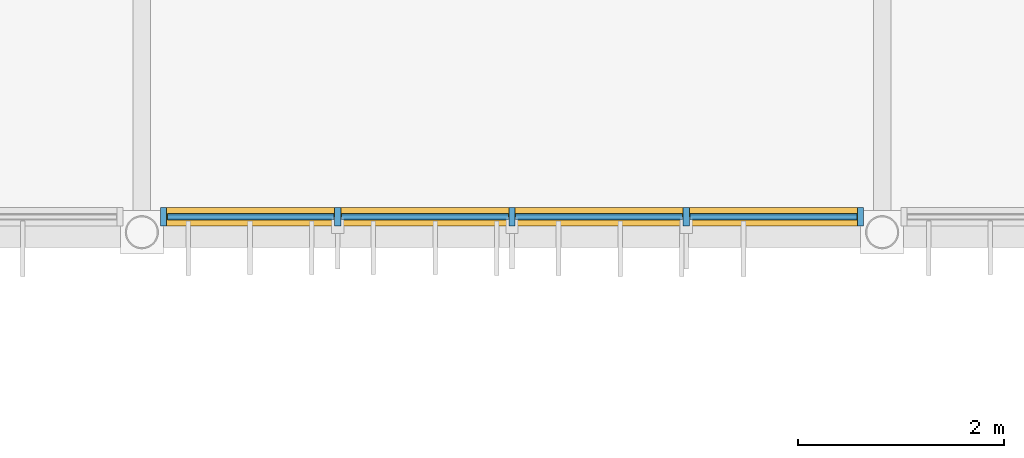
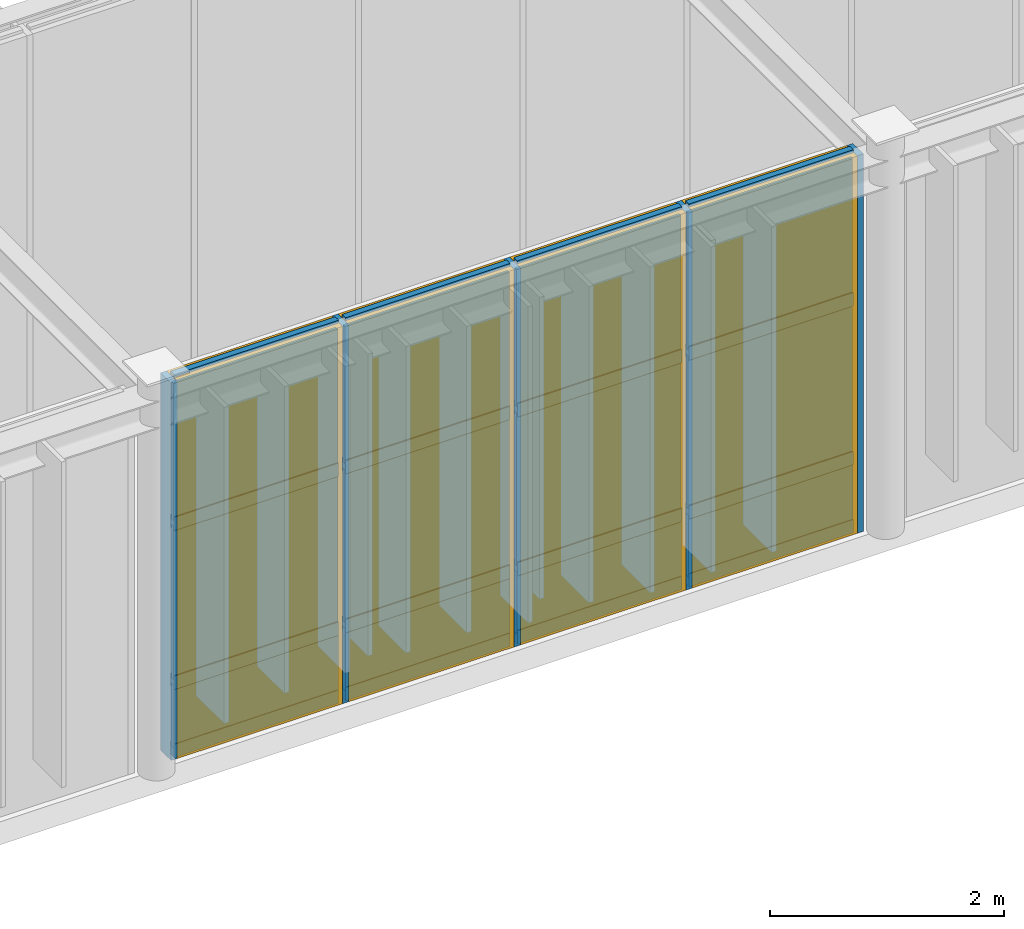
# One storey, part 70 of 104: 21 members, 12 plates, 1 curtain wall.
"""IFC4 building model written with IfcOpenShell, lengths in metres."""

from ifc_helpers import new_model, si_unit, direction, frame, frame_2d, origin, origin_2d, place, context, subcontext, project, spatial, rectangle, extrude, material, layer, layer_set, material_profile, profile_set, type_object, element, aggregate, save


model = new_model("IFC4")

# Units and contexts
model_context = context("Model", 3, precision=1e-05, world=origin(), true_north=direction((0.0, 1.0)))
body_context = subcontext(model_context, "Body", "Model", "MODEL_VIEW")
ifc_project = project(units=[si_unit("LENGTHUNIT", "METRE"), si_unit("AREAUNIT", "SQUARE_METRE"), si_unit("VOLUMEUNIT", "CUBIC_METRE"), si_unit("PLANEANGLEUNIT", "RADIAN"), si_unit("MASSUNIT", "GRAM", prefix="KILO")], contexts=[model_context])

# Member
ifc_material_1 = material(Name="Anodised Bronze Aluminium 6063-T6", Category="aluminium")
ifc_material_profile_1 = material_profile(ifc_material_1, rectangle(XDim=0.06005859375, YDim=0.179931640625, at=origin_2d()), Name="ALU MULLION 60x180")
ifc_profile_set_1 = profile_set([ifc_material_profile_1], Name="Anodised Bronze Aluminium 6063-T6")
member_type_1 = type_object("IfcMemberType", Name="Curtain-Wall Primary Mullion 60x180", PredefinedType="MULLION", material=ifc_profile_set_1)
site_placement = place(None, origin())
building_placement = place(site_placement, origin())
storey_placement = place(building_placement, frame((0.0, 0.0, 9.0)))
member_1_placement = place(storey_placement, frame((36.2119140625, 44.75, 0.0), z_axis=(0.0, 0.0, 1.0), x_axis=(1.0, 0.0, 0.0)))
member_1 = element("IfcMember", 1, at=member_1_placement, type_object=member_type_1, Name="Mullion CWM-01 CW-WLNK-S-L02-B2-M01", PredefinedType="MULLION", context=body_context, shape_type="SweptSolid", body=[
    extrude(rectangle(XDim=0.06005859375, YDim=0.179931640625, at=origin_2d()), origin(), (0.0, 0.0, 1.0), 3.93994140625),
])

member_2_placement = place(storey_placement, frame((37.906005859375, 44.75, 0.0), z_axis=(0.0, 0.0, 1.0), x_axis=(1.0, 0.0, 0.0)))
member_2 = element("IfcMember", 2, at=member_2_placement, type_object=member_type_1, Name="Mullion CWM-01 CW-WLNK-S-L02-B2-M02", PredefinedType="MULLION", context=body_context, shape_type="SweptSolid", body=[
    extrude(rectangle(XDim=0.06005859375, YDim=0.179931640625, at=origin_2d()), origin(), (0.0, 0.0, 1.0), 3.93994140625),
])

member_3_placement = place(storey_placement, frame((39.60009765625, 44.75, 0.0), z_axis=(0.0, 0.0, 1.0), x_axis=(1.0, 0.0, 0.0)))
member_3 = element("IfcMember", 3, at=member_3_placement, type_object=member_type_1, Name="Mullion CWM-01 CW-WLNK-S-L02-B2-M03", PredefinedType="MULLION", context=body_context, shape_type="SweptSolid", body=[
    extrude(rectangle(XDim=0.06005859375, YDim=0.179931640625, at=origin_2d()), origin(), (0.0, 0.0, 1.0), 3.93994140625),
])

member_4_placement = place(storey_placement, frame((41.294189453125, 44.75, 0.0), z_axis=(0.0, 0.0, 1.0), x_axis=(1.0, 0.0, 0.0)))
member_4 = element("IfcMember", 4, at=member_4_placement, type_object=member_type_1, Name="Mullion CWM-01 CW-WLNK-S-L02-B2-M04", PredefinedType="MULLION", context=body_context, shape_type="SweptSolid", body=[
    extrude(rectangle(XDim=0.06005859375, YDim=0.179931640625, at=origin_2d()), origin(), (0.0, 0.0, 1.0), 3.93994140625),
])

member_5_placement = place(storey_placement, frame((42.988037109375, 44.75, 0.0), z_axis=(0.0, 0.0, 1.0), x_axis=(1.0, 0.0, 0.0)))
member_5 = element("IfcMember", 5, at=member_5_placement, type_object=member_type_1, Name="Mullion CWM-01 CW-WLNK-S-L02-B2-M05", PredefinedType="MULLION", context=body_context, shape_type="SweptSolid", body=[
    extrude(rectangle(XDim=0.06005859375, YDim=0.179931640625, at=origin_2d()), origin(), (0.0, 0.0, 1.0), 3.93994140625),
])

ifc_material_profile_2 = material_profile(ifc_material_1, rectangle(XDim=0.06005859375, YDim=0.139892578125, at=origin_2d()), Name="ALU TRANSOM 60x140")
ifc_profile_set_2 = profile_set([ifc_material_profile_2], Name="Anodised Bronze Aluminium 6063-T6")
member_type_2 = type_object("IfcMemberType", Name="Curtain-Wall Transom 60x140", PredefinedType="USERDEFINED", material=ifc_profile_set_2)
member_6_placement = place(storey_placement, frame((36.2470703125, 44.75, 0.0400390625), z_axis=(1.0, 0.0, 0.0), x_axis=(0.0, 1.0, 0.0)))
member_6 = element("IfcMember", 6, at=member_6_placement, type_object=member_type_2, Name="Transom CWT-01 CW-WLNK-S-L02-B2-T01.1", ObjectType="TRANSOM", PredefinedType="USERDEFINED", context=body_context, shape_type="SweptSolid", body=[
    extrude(rectangle(XDim=0.06005859375, YDim=0.139892578125, at=origin_2d()), origin(), (0.0, 0.0, 1.0), 1.6240234375),
])

member_7_placement = place(storey_placement, frame((36.2470703125, 44.75, 0.75), z_axis=(1.0, 0.0, 0.0), x_axis=(0.0, 1.0, 0.0)))
member_7 = element("IfcMember", 7, at=member_7_placement, type_object=member_type_2, Name="Transom CWT-01 CW-WLNK-S-L02-B2-T01.2", ObjectType="TRANSOM", PredefinedType="USERDEFINED", context=body_context, shape_type="SweptSolid", body=[
    extrude(rectangle(XDim=0.06005859375, YDim=0.139892578125, at=origin_2d()), origin(), (0.0, 0.0, 1.0), 1.6240234375),
])

member_8_placement = place(storey_placement, frame((36.2470703125, 44.75, 2.40869140625), z_axis=(1.0, 0.0, 0.0), x_axis=(0.0, 1.0, 0.0)))
member_8 = element("IfcMember", 8, at=member_8_placement, type_object=member_type_2, Name="Transom CWT-01 CW-WLNK-S-L02-B2-T01.3", ObjectType="TRANSOM", PredefinedType="USERDEFINED", context=body_context, shape_type="SweptSolid", body=[
    extrude(rectangle(XDim=0.06005859375, YDim=0.139892578125, at=origin_2d()), origin(), (0.0, 0.0, 1.0), 1.6240234375),
])

member_9_placement = place(storey_placement, frame((36.2470703125, 44.75, 3.89990234375), z_axis=(1.0, 0.0, 0.0), x_axis=(0.0, 1.0, 0.0)))
member_9 = element("IfcMember", 9, at=member_9_placement, type_object=member_type_2, Name="Transom CWT-01 CW-WLNK-S-L02-B2-T01.4", ObjectType="TRANSOM", PredefinedType="USERDEFINED", context=body_context, shape_type="SweptSolid", body=[
    extrude(rectangle(XDim=0.06005859375, YDim=0.139892578125, at=origin_2d()), origin(), (0.0, 0.0, 1.0), 1.6240234375),
])

member_10_placement = place(storey_placement, frame((37.94091796875, 44.75, 0.0400390625), z_axis=(1.0, 0.0, 0.0), x_axis=(0.0, 1.0, 0.0)))
member_10 = element("IfcMember", 10, at=member_10_placement, type_object=member_type_2, Name="Transom CWT-01 CW-WLNK-S-L02-B2-T02.1", ObjectType="TRANSOM", PredefinedType="USERDEFINED", context=body_context, shape_type="SweptSolid", body=[
    extrude(rectangle(XDim=0.06005859375, YDim=0.139892578125, at=origin_2d()), origin(), (0.0, 0.0, 1.0), 1.6240234375),
])

member_11_placement = place(storey_placement, frame((37.94091796875, 44.75, 0.75), z_axis=(1.0, 0.0, 0.0), x_axis=(0.0, 1.0, 0.0)))
member_11 = element("IfcMember", 11, at=member_11_placement, type_object=member_type_2, Name="Transom CWT-01 CW-WLNK-S-L02-B2-T02.2", ObjectType="TRANSOM", PredefinedType="USERDEFINED", context=body_context, shape_type="SweptSolid", body=[
    extrude(rectangle(XDim=0.06005859375, YDim=0.139892578125, at=origin_2d()), origin(), (0.0, 0.0, 1.0), 1.6240234375),
])

member_12_placement = place(storey_placement, frame((37.94091796875, 44.75, 2.40869140625), z_axis=(1.0, 0.0, 0.0), x_axis=(0.0, 1.0, 0.0)))
member_12 = element("IfcMember", 12, at=member_12_placement, type_object=member_type_2, Name="Transom CWT-01 CW-WLNK-S-L02-B2-T02.3", ObjectType="TRANSOM", PredefinedType="USERDEFINED", context=body_context, shape_type="SweptSolid", body=[
    extrude(rectangle(XDim=0.06005859375, YDim=0.139892578125, at=origin_2d()), origin(), (0.0, 0.0, 1.0), 1.6240234375),
])

member_13_placement = place(storey_placement, frame((37.94091796875, 44.75, 3.89990234375), z_axis=(1.0, 0.0, 0.0), x_axis=(0.0, 1.0, 0.0)))
member_13 = element("IfcMember", 13, at=member_13_placement, type_object=member_type_2, Name="Transom CWT-01 CW-WLNK-S-L02-B2-T02.4", ObjectType="TRANSOM", PredefinedType="USERDEFINED", context=body_context, shape_type="SweptSolid", body=[
    extrude(rectangle(XDim=0.06005859375, YDim=0.139892578125, at=origin_2d()), origin(), (0.0, 0.0, 1.0), 1.6240234375),
])

member_14_placement = place(storey_placement, frame((39.635009765625, 44.75, 0.0400390625), z_axis=(1.0, 0.0, 0.0), x_axis=(0.0, 1.0, 0.0)))
member_14 = element("IfcMember", 14, at=member_14_placement, type_object=member_type_2, Name="Transom CWT-01 CW-WLNK-S-L02-B2-T03.1", ObjectType="TRANSOM", PredefinedType="USERDEFINED", context=body_context, shape_type="SweptSolid", body=[
    extrude(rectangle(XDim=0.06005859375, YDim=0.139892578125, at=origin_2d()), origin(), (0.0, 0.0, 1.0), 1.6240234375),
])

member_15_placement = place(storey_placement, frame((39.635009765625, 44.75, 0.75), z_axis=(1.0, 0.0, 0.0), x_axis=(0.0, 1.0, 0.0)))
member_15 = element("IfcMember", 15, at=member_15_placement, type_object=member_type_2, Name="Transom CWT-01 CW-WLNK-S-L02-B2-T03.2", ObjectType="TRANSOM", PredefinedType="USERDEFINED", context=body_context, shape_type="SweptSolid", body=[
    extrude(rectangle(XDim=0.06005859375, YDim=0.139892578125, at=origin_2d()), origin(), (0.0, 0.0, 1.0), 1.6240234375),
])

member_16_placement = place(storey_placement, frame((39.635009765625, 44.75, 2.40869140625), z_axis=(1.0, 0.0, 0.0), x_axis=(0.0, 1.0, 0.0)))
member_16 = element("IfcMember", 16, at=member_16_placement, type_object=member_type_2, Name="Transom CWT-01 CW-WLNK-S-L02-B2-T03.3", ObjectType="TRANSOM", PredefinedType="USERDEFINED", context=body_context, shape_type="SweptSolid", body=[
    extrude(rectangle(XDim=0.06005859375, YDim=0.139892578125, at=origin_2d()), origin(), (0.0, 0.0, 1.0), 1.6240234375),
])

member_17_placement = place(storey_placement, frame((39.635009765625, 44.75, 3.89990234375), z_axis=(1.0, 0.0, 0.0), x_axis=(0.0, 1.0, 0.0)))
member_17 = element("IfcMember", 17, at=member_17_placement, type_object=member_type_2, Name="Transom CWT-01 CW-WLNK-S-L02-B2-T03.4", ObjectType="TRANSOM", PredefinedType="USERDEFINED", context=body_context, shape_type="SweptSolid", body=[
    extrude(rectangle(XDim=0.06005859375, YDim=0.139892578125, at=origin_2d()), origin(), (0.0, 0.0, 1.0), 1.6240234375),
])

member_18_placement = place(storey_placement, frame((41.3291015625, 44.75, 0.0400390625), z_axis=(1.0, 0.0, 0.0), x_axis=(0.0, 1.0, 0.0)))
member_18 = element("IfcMember", 18, at=member_18_placement, type_object=member_type_2, Name="Transom CWT-01 CW-WLNK-S-L02-B2-T04.1", ObjectType="TRANSOM", PredefinedType="USERDEFINED", context=body_context, shape_type="SweptSolid", body=[
    extrude(rectangle(XDim=0.06005859375, YDim=0.139892578125, at=origin_2d()), origin(), (0.0, 0.0, 1.0), 1.6240234375),
])

member_19_placement = place(storey_placement, frame((41.3291015625, 44.75, 0.75), z_axis=(1.0, 0.0, 0.0), x_axis=(0.0, 1.0, 0.0)))
member_19 = element("IfcMember", 19, at=member_19_placement, type_object=member_type_2, Name="Transom CWT-01 CW-WLNK-S-L02-B2-T04.2", ObjectType="TRANSOM", PredefinedType="USERDEFINED", context=body_context, shape_type="SweptSolid", body=[
    extrude(rectangle(XDim=0.06005859375, YDim=0.139892578125, at=origin_2d()), origin(), (0.0, 0.0, 1.0), 1.6240234375),
])

member_20_placement = place(storey_placement, frame((41.3291015625, 44.75, 2.40869140625), z_axis=(1.0, 0.0, 0.0), x_axis=(0.0, 1.0, 0.0)))
member_20 = element("IfcMember", 20, at=member_20_placement, type_object=member_type_2, Name="Transom CWT-01 CW-WLNK-S-L02-B2-T04.3", ObjectType="TRANSOM", PredefinedType="USERDEFINED", context=body_context, shape_type="SweptSolid", body=[
    extrude(rectangle(XDim=0.06005859375, YDim=0.139892578125, at=origin_2d()), origin(), (0.0, 0.0, 1.0), 1.6240234375),
])

member_21_placement = place(storey_placement, frame((41.3291015625, 44.75, 3.89990234375), z_axis=(1.0, 0.0, 0.0), x_axis=(0.0, 1.0, 0.0)))
member_21 = element("IfcMember", 21, at=member_21_placement, type_object=member_type_2, Name="Transom CWT-01 CW-WLNK-S-L02-B2-T04.4", ObjectType="TRANSOM", PredefinedType="USERDEFINED", context=body_context, shape_type="SweptSolid", body=[
    extrude(rectangle(XDim=0.06005859375, YDim=0.139892578125, at=origin_2d()), origin(), (0.0, 0.0, 1.0), 1.6240234375),
])

# Plate
ifc_material_2 = material(Name="Insulated Bronze Aluminium Spandrel Panel", Category="aluminium")
ifc_layer_1 = layer(ifc_material_2, 0.050048828125, Name="Insulated Bronze Aluminium Spandrel Panel")
ifc_layer_set_1 = layer_set([ifc_layer_1], Name="Insulated Bronze Aluminium Spandrel Panel")
plate_type_1 = type_object("IfcPlateType", Name="Insulated Anodised Aluminium Spandrel Cassette 50", PredefinedType="CURTAIN_PANEL", material=ifc_layer_set_1)
plate_1_placement = place(storey_placement, frame((37.05908203125, 44.75, 0.070068359375), z_axis=(0.0, 0.0, 1.0), x_axis=(1.0, 0.0, 0.0)))
plate_1 = element("IfcPlate", 22, at=plate_1_placement, type_object=plate_type_1, Name="Curtain Panel CWP-03 CW-WLNK-S-L02-B2-P01.1", PredefinedType="CURTAIN_PANEL", context=body_context, shape_type="SweptSolid", body=[
    extrude(rectangle(XDim=1.6240234375, YDim=0.050048828125, at=origin_2d()), origin(), (0.0, 0.0, 1.0), 0.64990234375),
])

plate_2_placement = place(storey_placement, frame((38.7529296875, 44.75, 0.070068359375), z_axis=(0.0, 0.0, 1.0), x_axis=(1.0, 0.0, 0.0)))
plate_2 = element("IfcPlate", 23, at=plate_2_placement, type_object=plate_type_1, Name="Curtain Panel CWP-03 CW-WLNK-S-L02-B2-P02.1", PredefinedType="CURTAIN_PANEL", context=body_context, shape_type="SweptSolid", body=[
    extrude(rectangle(XDim=1.6240234375, YDim=0.050048828125, at=origin_2d()), origin(), (0.0, 0.0, 1.0), 0.64990234375),
])

plate_3_placement = place(storey_placement, frame((40.447021484375, 44.75, 0.070068359375), z_axis=(0.0, 0.0, 1.0), x_axis=(1.0, 0.0, 0.0)))
plate_3 = element("IfcPlate", 24, at=plate_3_placement, type_object=plate_type_1, Name="Curtain Panel CWP-03 CW-WLNK-S-L02-B2-P03.1", PredefinedType="CURTAIN_PANEL", context=body_context, shape_type="SweptSolid", body=[
    extrude(rectangle(XDim=1.6240234375, YDim=0.050048828125, at=origin_2d()), origin(), (0.0, 0.0, 1.0), 0.64990234375),
])

plate_4_placement = place(storey_placement, frame((42.14111328125, 44.75, 0.070068359375), z_axis=(0.0, 0.0, 1.0), x_axis=(1.0, 0.0, 0.0)))
plate_4 = element("IfcPlate", 25, at=plate_4_placement, type_object=plate_type_1, Name="Curtain Panel CWP-03 CW-WLNK-S-L02-B2-P04.1", PredefinedType="CURTAIN_PANEL", context=body_context, shape_type="SweptSolid", body=[
    extrude(rectangle(XDim=1.6240234375, YDim=0.050048828125, at=origin_2d()), origin(), (0.0, 0.0, 1.0), 0.64990234375),
])

ifc_material_3 = material(Name="Solar-Control Tempered Double Glazing", Category="glass")
ifc_layer_2 = layer(ifc_material_3, 0.0380859375, Name="Solar-Control Tempered Double Glazing")
ifc_layer_set_2 = layer_set([ifc_layer_2], Name="Solar-Control Tempered Double Glazing")
plate_type_2 = type_object("IfcPlateType", Name="Solar-Control Vision Glazing Unit 38", PredefinedType="CURTAIN_PANEL", material=ifc_layer_set_2)
plate_5_placement = place(storey_placement, frame((37.05908203125, 44.75, 0.77978515625), z_axis=(0.0, 0.0, 1.0), x_axis=(1.0, 0.0, 0.0)))
plate_5 = element("IfcPlate", 26, at=plate_5_placement, type_object=plate_type_2, Name="Curtain Panel CWP-02 CW-WLNK-S-L02-B2-P01.2", PredefinedType="CURTAIN_PANEL", context=body_context, shape_type="SweptSolid", body=[
    extrude(rectangle(XDim=1.6240234375, YDim=0.0380859375, at=origin_2d()), origin(), (0.0, 0.0, 1.0), 1.598876953125),
])

plate_6_placement = place(storey_placement, frame((37.05908203125, 44.75, 2.438720703125), z_axis=(0.0, 0.0, 1.0), x_axis=(1.0, 0.0, 0.0)))
plate_6 = element("IfcPlate", 27, at=plate_6_placement, type_object=plate_type_2, Name="Curtain Panel CWP-02 CW-WLNK-S-L02-B2-P01.3", PredefinedType="CURTAIN_PANEL", context=body_context, shape_type="SweptSolid", body=[
    extrude(rectangle(XDim=1.6240234375, YDim=0.0380859375, at=origin_2d()), origin(), (0.0, 0.0, 1.0), 1.43115234375),
])

plate_7_placement = place(storey_placement, frame((38.7529296875, 44.75, 0.77978515625), z_axis=(0.0, 0.0, 1.0), x_axis=(1.0, 0.0, 0.0)))
plate_7 = element("IfcPlate", 28, at=plate_7_placement, type_object=plate_type_2, Name="Curtain Panel CWP-02 CW-WLNK-S-L02-B2-P02.2", PredefinedType="CURTAIN_PANEL", context=body_context, shape_type="SweptSolid", body=[
    extrude(rectangle(XDim=1.6240234375, YDim=0.0380859375, at=origin_2d()), origin(), (0.0, 0.0, 1.0), 1.598876953125),
])

plate_8_placement = place(storey_placement, frame((38.7529296875, 44.75, 2.438720703125), z_axis=(0.0, 0.0, 1.0), x_axis=(1.0, 0.0, 0.0)))
plate_8 = element("IfcPlate", 29, at=plate_8_placement, type_object=plate_type_2, Name="Curtain Panel CWP-02 CW-WLNK-S-L02-B2-P02.3", PredefinedType="CURTAIN_PANEL", context=body_context, shape_type="SweptSolid", body=[
    extrude(rectangle(XDim=1.6240234375, YDim=0.0380859375, at=origin_2d()), origin(), (0.0, 0.0, 1.0), 1.43115234375),
])

plate_9_placement = place(storey_placement, frame((40.447021484375, 44.75, 0.77978515625), z_axis=(0.0, 0.0, 1.0), x_axis=(1.0, 0.0, 0.0)))
plate_9 = element("IfcPlate", 30, at=plate_9_placement, type_object=plate_type_2, Name="Curtain Panel CWP-02 CW-WLNK-S-L02-B2-P03.2", PredefinedType="CURTAIN_PANEL", context=body_context, shape_type="SweptSolid", body=[
    extrude(rectangle(XDim=1.6240234375, YDim=0.0380859375, at=origin_2d()), origin(), (0.0, 0.0, 1.0), 1.598876953125),
])

plate_10_placement = place(storey_placement, frame((40.447021484375, 44.75, 2.438720703125), z_axis=(0.0, 0.0, 1.0), x_axis=(1.0, 0.0, 0.0)))
plate_10 = element("IfcPlate", 31, at=plate_10_placement, type_object=plate_type_2, Name="Curtain Panel CWP-02 CW-WLNK-S-L02-B2-P03.3", PredefinedType="CURTAIN_PANEL", context=body_context, shape_type="SweptSolid", body=[
    extrude(rectangle(XDim=1.6240234375, YDim=0.0380859375, at=origin_2d()), origin(), (0.0, 0.0, 1.0), 1.43115234375),
])

plate_11_placement = place(storey_placement, frame((42.14111328125, 44.75, 0.77978515625), z_axis=(0.0, 0.0, 1.0), x_axis=(1.0, 0.0, 0.0)))
plate_11 = element("IfcPlate", 32, at=plate_11_placement, type_object=plate_type_2, Name="Curtain Panel CWP-02 CW-WLNK-S-L02-B2-P04.2", PredefinedType="CURTAIN_PANEL", context=body_context, shape_type="SweptSolid", body=[
    extrude(rectangle(XDim=1.6240234375, YDim=0.0380859375, at=origin_2d()), origin(), (0.0, 0.0, 1.0), 1.598876953125),
])

plate_12_placement = place(storey_placement, frame((42.14111328125, 44.75, 2.438720703125), z_axis=(0.0, 0.0, 1.0), x_axis=(1.0, 0.0, 0.0)))
plate_12 = element("IfcPlate", 33, at=plate_12_placement, type_object=plate_type_2, Name="Curtain Panel CWP-02 CW-WLNK-S-L02-B2-P04.3", PredefinedType="CURTAIN_PANEL", context=body_context, shape_type="SweptSolid", body=[
    extrude(rectangle(XDim=1.6240234375, YDim=0.0380859375, at=origin_2d()), origin(), (0.0, 0.0, 1.0), 1.43115234375),
])

# Site, building, storey
site = spatial("IfcSite", under=ifc_project, at=site_placement, CompositionType="ELEMENT")
building = spatial("IfcBuilding", under=site, at=building_placement, Name="Tazoul Stagehouse", CompositionType="ELEMENT")
storey = spatial("IfcBuildingStorey", under=building, at=storey_placement, Name="L02", CompositionType="ELEMENT", Elevation=9.0)

# Curtain wall
curtain_wall_type = type_object("IfcCurtainWallType", Name="Foyer Clear Solar-Control Curtain Wall", PredefinedType="NOTDEFINED", material=ifc_material_1)
curtain_wall_placement = place(storey_placement, frame((36.2119140625, 44.75, 0.0), z_axis=(0.0, 0.0, 1.0), x_axis=(1.0, 0.0, 0.0)))
curtain_wall = element("IfcCurtainWall", 34, at=curtain_wall_placement, inside=storey, type_object=curtain_wall_type, Name="L02 Curtain Wall CW-02 (CW-WLNK-S-L02-B2)", PredefinedType="NOTDEFINED", context=body_context, shape_type="SweptSolid", body=[
    extrude(rectangle(XDim=6.776123046875, YDim=0.179931640625, at=frame_2d((3.38818359375, 0.0))), origin(), (0.0, 0.0, 1.0), 3.93994140625),
])

aggregate(curtain_wall, [member_1, member_2, member_3, member_4, member_5, member_6, member_7, member_8, member_9, plate_1, plate_5, plate_6, member_10, member_11, member_12, member_13, plate_2, plate_7, plate_8, member_14, member_15, member_16, member_17, plate_3, plate_9, plate_10, member_18, member_19, member_20, member_21, plate_4, plate_11, plate_12])

save(model, "model.ifc")
